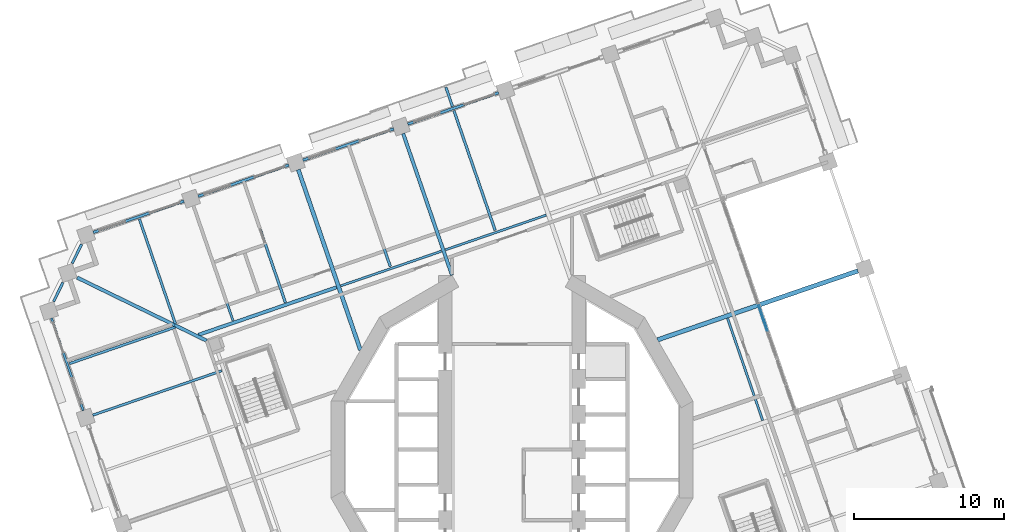
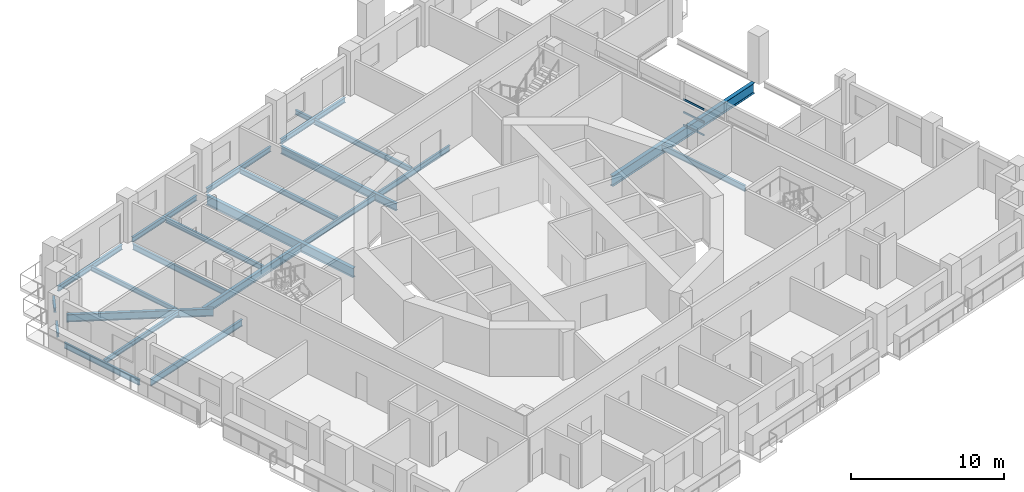
# One storey, part 3 of 19: 23 beams, 3 members, 1 element without a shape of its own.
"""IFC4 building model written with IfcOpenShell, lengths in metres."""

from ifc_helpers import new_model, si_unit, direction, frame, origin, origin_2d, place, context, subcontext, project, spatial, rectangle, i_section, extrude, material, material_profile, profile_set, type_object, element, aggregate, save


model = new_model("IFC4")

# Units and contexts
model_context = context("Model", 3, precision=1e-05, world=origin(), true_north=direction((0.0, 1.0)))
body_context = subcontext(model_context, "Body", "Model", "MODEL_VIEW")
ifc_project = project(units=[si_unit("LENGTHUNIT", "METRE"), si_unit("AREAUNIT", "SQUARE_METRE"), si_unit("VOLUMEUNIT", "CUBIC_METRE"), si_unit("PLANEANGLEUNIT", "RADIAN"), si_unit("MASSUNIT", "GRAM", prefix="KILO")], contexts=[model_context])

# Site, building, storey
site_placement = place(None, origin())
site = spatial("IfcSite", under=ifc_project, at=site_placement, CompositionType="ELEMENT")
building_placement = place(site_placement, origin())
building = spatial("IfcBuilding", under=site, at=building_placement, Name="Cantera Rosa Tower", CompositionType="ELEMENT")
storey_placement = place(building_placement, frame((0.0, 0.0, 130.699951171875)))
storey = spatial("IfcBuildingStorey", under=building, at=storey_placement, Name="L27", CompositionType="ELEMENT", Elevation=130.699951171875)

# Curtain wall, members
ifc_material_1 = material(Name="Aluminium frame with clear glass", Category="aluminium")
curtain_wall_type = type_object("IfcCurtainWallType", Name="CW1 TERRACE POCKET GLAZING", PredefinedType="NOTDEFINED", material=ifc_material_1)
curtain_wall_placement = place(storey_placement, origin())
curtain_wall = element("IfcCurtainWall", 1, at=curtain_wall_placement, inside=storey, type_object=curtain_wall_type, Name="CW1 CW1", PredefinedType="NOTDEFINED")
ifc_material_2 = material(Name="Anodised bronze aluminium", Category="aluminium")
ifc_material_profile_1 = material_profile(ifc_material_2, rectangle(XDim=0.06005859375, YDim=0.139892578125, at=origin_2d()), Name="CW-TRANSOM 60x140 POCKET")
ifc_profile_set_1 = profile_set([ifc_material_profile_1], Name="Anodised bronze aluminium")
member_type = type_object("IfcMemberType", Name="CW-TRANSOM 60x140 POCKET", PredefinedType="USERDEFINED", material=ifc_profile_set_1)
member_1_placement = place(storey_placement, frame((17.049072265625, 7.923583984375, 0.030029296875), z_axis=(-0.325506938428, 0.945539651752, 0.0), x_axis=(-0.945539651752, -0.325506938428, 0.0)))
member_1 = element("IfcMember", 2, at=member_1_placement, type_object=member_type, Name="CW1 transom 4.1", ObjectType="TRANSOM", PredefinedType="USERDEFINED", context=body_context, shape_type="SweptSolid", body=[
    extrude(rectangle(XDim=0.06005859375, YDim=0.139892578125, at=origin_2d()), origin(), (0.0, 0.0, 1.0), 1.788818359375),
])
member_2_placement = place(storey_placement, frame((17.049072265625, 7.923583984375, 1.052001953125), z_axis=(-0.325506938428, 0.945539651752, 0.0), x_axis=(-0.945539651752, -0.325506938428, 0.0)))
member_2 = element("IfcMember", 3, at=member_2_placement, type_object=member_type, Name="CW1 transom 4.2", ObjectType="TRANSOM", PredefinedType="USERDEFINED", context=body_context, shape_type="SweptSolid", body=[
    extrude(rectangle(XDim=0.06005859375, YDim=0.139892578125, at=origin_2d()), origin(), (0.0, 0.0, 1.0), 1.788818359375),
])
member_3_placement = place(storey_placement, frame((17.049072265625, 7.923583984375, 2.073974609375), z_axis=(-0.325506938428, 0.945539651752, 0.0), x_axis=(-0.945539651752, -0.325506938428, 0.0)))
member_3 = element("IfcMember", 4, at=member_3_placement, type_object=member_type, Name="CW1 transom 4.3", ObjectType="TRANSOM", PredefinedType="USERDEFINED", context=body_context, shape_type="SweptSolid", body=[
    extrude(rectangle(XDim=0.06005859375, YDim=0.139892578125, at=origin_2d()), origin(), (0.0, 0.0, 1.0), 1.788818359375),
])
aggregate(curtain_wall, [member_1, member_2, member_3])

# Beams
ifc_material_3 = material(Name="Steel ASTM A992 (Fy 345 MPa)", Category="steel")
ifc_material_profile_2 = material_profile(ifc_material_3, i_section(OverallWidth=0.154052734375, OverallDepth=0.4599609375, WebThickness=0.009033203125, FlangeThickness=0.015380859375, FilletRadius=0.01025390625, at=origin_2d()), Name="W460X68")
ifc_profile_set_2 = profile_set([ifc_material_profile_2], Name="Steel ASTM A992 (Fy 345 MPa)")
beam_type_1 = type_object("IfcBeamType", Name="STEEL BEAM W460X68", PredefinedType="BEAM", material=ifc_profile_set_2)
beam_1_placement = place(storey_placement, frame((-21.25390625, 16.2666015625, -0.47998046875), z_axis=(0.325580085327, -0.945514467387, 0.0), x_axis=(0.945514467387, 0.325580085327, 0.0)))
element("IfcBeam", 5, at=beam_1_placement, inside=storey, type_object=beam_type_1, Name="G-Z2-09 L27", PredefinedType="BEAM", context=body_context, shape_type="SweptSolid", body=[
    extrude(i_section(OverallWidth=0.154052734375, OverallDepth=0.4599609375, WebThickness=0.009033203125, FlangeThickness=0.015380859375, FilletRadius=0.01025390625, at=origin_2d()), origin(), (0.0, 0.0, 1.0), 8.10009765625),
])
beam_2_placement = place(storey_placement, frame((-11.42919921875, 10.924072265625, -0.47998046875), z_axis=(0.945518325606, 0.32556888049, 0.0), x_axis=(-0.32556888049, 0.945518325606, 0.0)))
element("IfcBeam", 6, at=beam_2_placement, inside=storey, type_object=beam_type_1, Name="RB-Z2-02 L27", PredefinedType="BEAM", context=body_context, shape_type="SweptSolid", body=[
    extrude(i_section(OverallWidth=0.154052734375, OverallDepth=0.4599609375, WebThickness=0.009033203125, FlangeThickness=0.015380859375, FilletRadius=0.01025390625, at=origin_2d()), origin(), (0.0, 0.0, 1.0), 7.099853515625),
])
beam_3_placement = place(storey_placement, frame((-4.432373046875, 13.333251953125, -0.47998046875), z_axis=(0.945507740063, 0.325599621437, 0.0), x_axis=(-0.325599621437, 0.945507740063, 0.0)))
element("IfcBeam", 7, at=beam_3_placement, inside=storey, type_object=beam_type_1, Name="RB-Z2-03 L27", PredefinedType="BEAM", context=body_context, shape_type="SweptSolid", body=[
    extrude(i_section(OverallWidth=0.154052734375, OverallDepth=0.4599609375, WebThickness=0.009033203125, FlangeThickness=0.015380859375, FilletRadius=0.01025390625, at=origin_2d()), origin(), (0.0, 0.0, 1.0), 7.10009765625),
])
beam_4_placement = place(storey_placement, frame((16.72900390625, 1.9423828125, -0.47998046875), z_axis=(-0.325575881702, 0.94551591486, 0.0), x_axis=(-0.94551591486, -0.325575881702, 0.0)))
element("IfcBeam", 8, at=beam_4_placement, inside=storey, type_object=beam_type_1, Name="RB-Z2-10 L27", PredefinedType="BEAM", context=body_context, shape_type="SweptSolid", body=[
    extrude(i_section(OverallWidth=0.154052734375, OverallDepth=0.4599609375, WebThickness=0.009033203125, FlangeThickness=0.015380859375, FilletRadius=0.01025390625, at=origin_2d()), origin(), (0.0, 0.0, 1.0), 7.2197265625),
])
ifc_material_4 = material(Name="Steel ASTM A992 (Fy 345 MPa)", Category="steel")
ifc_material_profile_3 = material_profile(ifc_material_4, i_section(OverallWidth=0.166015625, OverallDepth=0.528076171875, WebThickness=0.009765625, FlangeThickness=0.013671875, FilletRadius=0.0126953125, at=origin_2d()), Name="W530X74")
ifc_profile_set_3 = profile_set([ifc_material_profile_3], Name="Steel ASTM A992 (Fy 345 MPa)")
beam_type_2 = type_object("IfcBeamType", Name="STEEL BEAM W530X74", PredefinedType="BEAM", material=ifc_profile_set_3)
beam_5_placement = place(storey_placement, frame((-27.97216796875, 2.29833984375, -0.513916015625), z_axis=(0.94551971591, 0.325564842737, 0.0), x_axis=(-0.325564842737, 0.94551971591, 0.0)))
element("IfcBeam", 9, at=beam_5_placement, inside=storey, type_object=beam_type_2, Name="G-Z2-15 L27", PredefinedType="BEAM", context=body_context, shape_type="SweptSolid", body=[
    extrude(i_section(OverallWidth=0.166015625, OverallDepth=0.528076171875, WebThickness=0.009765625, FlangeThickness=0.013671875, FilletRadius=0.0126953125, at=origin_2d()), origin(), (0.0, 0.0, 1.0), 9.10009765625),
])
ifc_material_5 = material(Name="Steel ASTM A992 (Fy 345 MPa)", Category="steel")
ifc_material_profile_4 = material_profile(ifc_material_5, i_section(OverallWidth=0.22802734375, OverallDepth=0.60205078125, WebThickness=0.010498046875, FlangeThickness=0.014892578125, FilletRadius=0.0126953125, at=origin_2d()), Name="W610X101")
ifc_profile_set_4 = profile_set([ifc_material_profile_4], Name="Steel ASTM A992 (Fy 345 MPa)")
beam_type_3 = type_object("IfcBeamType", Name="STEEL BEAM W610X101", PredefinedType="BEAM", material=ifc_profile_set_4)
beam_6_placement = place(storey_placement, frame((-29.017822265625, 11.47802734375, -0.551025390625), z_axis=(0.898796015179, -0.438367109965, 0.0), x_axis=(0.438367109965, 0.898796015179, 0.0)))
element("IfcBeam", 10, at=beam_6_placement, inside=storey, type_object=beam_type_3, Name="CB-Z2-02 L27", PredefinedType="BEAM", context=body_context, shape_type="SweptSolid", body=[
    extrude(i_section(OverallWidth=0.22802734375, OverallDepth=0.60205078125, WebThickness=0.010498046875, FlangeThickness=0.014892578125, FilletRadius=0.0126953125, at=origin_2d()), origin(), (0.0, 0.0, 1.0), 9.616455078125),
])
beam_7_placement = place(storey_placement, frame((-7.26025390625, 21.0849609375, -0.551025390625), z_axis=(0.325587365823, -0.945511960377, 0.0), x_axis=(0.945511960377, 0.325587365823, 0.0)))
element("IfcBeam", 11, at=beam_7_placement, inside=storey, type_object=beam_type_3, Name="G-Z2-07 L27", PredefinedType="BEAM", context=body_context, shape_type="SweptSolid", body=[
    extrude(i_section(OverallWidth=0.22802734375, OverallDepth=0.60205078125, WebThickness=0.010498046875, FlangeThickness=0.014892578125, FilletRadius=0.0126953125, at=origin_2d()), origin(), (0.0, 0.0, 1.0), 10.0),
])
ifc_material_6 = material(Name="Steel ASTM A992 (Fy 345 MPa)", Category="steel")
ifc_material_profile_5 = material_profile(ifc_material_6, i_section(OverallWidth=0.22900390625, OverallDepth=0.612060546875, WebThickness=0.011962890625, FlangeThickness=0.01953125, FilletRadius=0.0126953125, at=origin_2d()), Name="W610X125")
ifc_profile_set_5 = profile_set([ifc_material_profile_5], Name="Steel ASTM A992 (Fy 345 MPa)")
beam_type_4 = type_object("IfcBeamType", Name="STEEL BEAM W610X125", PredefinedType="BEAM", material=ifc_profile_set_5)
beam_8_placement = place(storey_placement, frame((-20.931640625, 7.652099609375, -0.555908203125), z_axis=(0.945517116269, 0.32557239263, 0.0), x_axis=(-0.32557239263, 0.945517116269, 0.0)))
element("IfcBeam", 12, at=beam_8_placement, inside=storey, type_object=beam_type_4, Name="RB-Z2-01 L27", PredefinedType="BEAM", context=body_context, shape_type="SweptSolid", body=[
    extrude(i_section(OverallWidth=0.22900390625, OverallDepth=0.612060546875, WebThickness=0.011962890625, FlangeThickness=0.01953125, FilletRadius=0.0126953125, at=origin_2d()), origin(), (0.0, 0.0, 1.0), 9.75),
])
ifc_material_7 = material(Name="Steel ASTM A992 (Fy 345 MPa)", Category="steel")
ifc_material_profile_6 = material_profile(ifc_material_7, i_section(OverallWidth=0.26708984375, OverallDepth=0.75390625, WebThickness=0.01318359375, FlangeThickness=0.01708984375, FilletRadius=0.0166015625, at=origin_2d()), Name="W760X147")
ifc_profile_set_6 = profile_set([ifc_material_profile_6], Name="Steel ASTM A992 (Fy 345 MPa)")
beam_type_5 = type_object("IfcBeamType", Name="STEEL BEAM W760X147", PredefinedType="BEAM", material=ifc_profile_set_6)
beam_9_placement = place(storey_placement, frame((-14.257080078125, 18.67578125, -0.626953125), z_axis=(0.325575880476, -0.945515915282, 0.0), x_axis=(0.945515915282, 0.325575880476, 0.0)))
element("IfcBeam", 13, at=beam_9_placement, inside=storey, type_object=beam_type_5, Name="G-Z2-08 L27", PredefinedType="BEAM", context=body_context, shape_type="SweptSolid", body=[
    extrude(i_section(OverallWidth=0.26708984375, OverallDepth=0.75390625, WebThickness=0.01318359375, FlangeThickness=0.01708984375, FilletRadius=0.0166015625, at=origin_2d()), origin(), (0.0, 0.0, 1.0), 12.734375),
])
ifc_material_8 = material(Name="Steel ASTM A992 (Fy 345 MPa)", Category="steel")
ifc_material_profile_7 = material_profile(ifc_material_8, i_section(OverallWidth=0.2919921875, OverallDepth=0.8359375, WebThickness=0.013916015625, FlangeThickness=0.018798828125, FilletRadius=0.017822265625, at=origin_2d()), Name="W840X176")
ifc_profile_set_7 = profile_set([ifc_material_profile_7], Name="Steel ASTM A992 (Fy 345 MPa)")
beam_type_6 = type_object("IfcBeamType", Name="STEEL BEAM W840X176", PredefinedType="BEAM", material=ifc_profile_set_7)
beam_10_placement = place(storey_placement, frame((23.07568359375, 11.92236328125, -0.66796875), z_axis=(-0.945516836256, -0.325573205833, 0.0), x_axis=(0.325573205833, -0.945516836256, 0.0)))
element("IfcBeam", 14, at=beam_10_placement, inside=storey, type_object=beam_type_6, Name="G-Z2-03 L27", PredefinedType="BEAM", context=body_context, shape_type="SweptSolid", body=[
    extrude(i_section(OverallWidth=0.2919921875, OverallDepth=0.8359375, WebThickness=0.013916015625, FlangeThickness=0.018798828125, FilletRadius=0.017822265625, at=origin_2d()), origin(), (0.0, 0.0, 1.0), 14.130615234375),
])
ifc_material_9 = material(Name="Steel ASTM A992 (Fy 345 MPa)", Category="steel")
ifc_material_profile_8 = material_profile(ifc_material_9, i_section(OverallWidth=0.1708984375, OverallDepth=0.35595703125, WebThickness=0.00732421875, FlangeThickness=0.01171875, FilletRadius=0.010009765625, at=origin_2d()), Name="W360X51")
ifc_profile_set_8 = profile_set([ifc_material_profile_8], Name="Steel ASTM A992 (Fy 345 MPa)")
beam_type_7 = type_object("IfcBeamType", Name="STEEL JOIST W360X51", PredefinedType="JOIST", material=ifc_profile_set_8)
beam_11_placement = place(storey_placement, frame((-24.8662109375, 15.39306640625, -0.427978515625), z_axis=(0.325565645331, -0.945519439557, 0.0), x_axis=(0.945519439557, 0.325565645331, 0.0)))
element("IfcBeam", 15, at=beam_11_placement, inside=storey, type_object=beam_type_7, Name="B-Z2-11 L27", PredefinedType="JOIST", context=body_context, shape_type="SweptSolid", body=[
    extrude(i_section(OverallWidth=0.1708984375, OverallDepth=0.35595703125, WebThickness=0.00732421875, FlangeThickness=0.01171875, FilletRadius=0.010009765625, at=origin_2d()), origin(), (0.0, 0.0, 1.0), 7.39990234375),
])
beam_12_placement = place(storey_placement, frame((-29.52734375, 5.739501953125, -0.427978515625), z_axis=(0.945521732807, 0.325558985116, 0.0), x_axis=(-0.325558985116, 0.945521732807, 0.0)))
element("IfcBeam", 16, at=beam_12_placement, inside=storey, type_object=beam_type_7, Name="B-Z2-18 L27", PredefinedType="JOIST", context=body_context, shape_type="SweptSolid", body=[
    extrude(i_section(OverallWidth=0.1708984375, OverallDepth=0.35595703125, WebThickness=0.00732421875, FlangeThickness=0.01171875, FilletRadius=0.010009765625, at=origin_2d()), origin(), (0.0, 0.0, 1.0), 7.460205078125),
])
beam_13_placement = place(storey_placement, frame((-3.966796875, 22.88525390625, -0.427978515625), z_axis=(-0.325633232833, 0.945496164812, 0.0), x_axis=(-0.945496164812, -0.325633232833, 0.0)))
element("IfcBeam", 17, at=beam_13_placement, inside=storey, type_object=beam_type_7, Name="BS-Z2-16 L27", PredefinedType="JOIST", context=body_context, shape_type="SweptSolid", body=[
    extrude(i_section(OverallWidth=0.1708984375, OverallDepth=0.35595703125, WebThickness=0.00732421875, FlangeThickness=0.01171875, FilletRadius=0.010009765625, at=origin_2d()), origin(), (0.0, 0.0, 1.0), 1.3681640625),
])
ifc_material_10 = material(Name="Steel ASTM A992 (Fy 345 MPa)", Category="steel")
ifc_material_profile_9 = material_profile(ifc_material_10, i_section(OverallWidth=0.177978515625, OverallDepth=0.406005859375, WebThickness=0.0078125, FlangeThickness=0.0126953125, FilletRadius=0.01025390625, at=origin_2d()), Name="W410X60")
ifc_profile_set_9 = profile_set([ifc_material_profile_9], Name="Steel ASTM A992 (Fy 345 MPa)")
beam_type_8 = type_object("IfcBeamType", Name="STEEL JOIST W410X60", PredefinedType="JOIST", material=ifc_profile_set_9)
for number, where, z_axis, x_axis, name in (
    (18, (-3.875732421875, 22.62060546875, -0.452880859375), (0.325556131421, -0.945522715377, 0.0), (0.945522715377, 0.325556131421, 0.0), "B-Z2-08 L27"),
    (19, (-10.87255859375, 20.21142578125, -0.452880859375), (0.325556131421, -0.945522715377, 0.0), (0.945522715377, 0.325556131421, 0.0), "B-Z2-09 L27"),
    (20, (-17.869384765625, 17.80224609375, -0.452880859375), (0.325556131421, -0.945522715377, 0.0), (0.945522715377, 0.325556131421, 0.0), "B-Z2-10 L27"),
):
    element("IfcBeam", number, at=place(storey_placement, frame(where, z_axis=z_axis, x_axis=x_axis)), inside=storey, type_object=beam_type_8, Name=name, PredefinedType="JOIST", context=body_context, shape_type="SweptSolid", body=[
        extrude(i_section(OverallWidth=0.177978515625, OverallDepth=0.406005859375, WebThickness=0.0078125, FlangeThickness=0.0126953125, FilletRadius=0.01025390625, at=origin_2d()), origin(), (0.0, 0.0, 1.0), 8.4501953125),
    ])
ifc_material_11 = material(Name="Steel ASTM A992 (Fy 345 MPa)", Category="steel")
ifc_material_profile_10 = material_profile(ifc_material_11, i_section(OverallWidth=0.1708984375, OverallDepth=0.35595703125, WebThickness=0.00732421875, FlangeThickness=0.01171875, FilletRadius=0.010009765625, at=origin_2d()), Name="W360X51")
ifc_profile_set_10 = profile_set([ifc_material_profile_10], Name="Steel ASTM A992 (Fy 345 MPa)")
beam_type_9 = type_object("IfcBeamType", Name="STEEL SPANDREL BEAM W360X51", PredefinedType="SPANDREL", material=ifc_profile_set_10)
for number, where, z_axis, x_axis, name in (
    (21, (-28.723388671875, 13.694580078125, -0.427978515625), (-0.438491655897, -0.898735260079, 0.0), (0.898735260079, -0.438491655897, 0.0), "EB-Z2-14 L27"),
    (22, (-29.96337890625, 11.152587890625, -0.427978515625), (-0.438284186308, -0.898836454552, 0.0), (0.898836454552, -0.438284186308, 0.0), "EB-Z2-15 L27"),
):
    element("IfcBeam", number, at=place(storey_placement, frame(where, z_axis=z_axis, x_axis=x_axis)), inside=storey, type_object=beam_type_9, Name=name, PredefinedType="SPANDREL", context=body_context, shape_type="SweptSolid", body=[
        extrude(i_section(OverallWidth=0.1708984375, OverallDepth=0.35595703125, WebThickness=0.00732421875, FlangeThickness=0.01171875, FilletRadius=0.010009765625, at=origin_2d()), origin(), (0.0, 0.0, 1.0), 1.414306640625),
    ])
ifc_material_12 = material(Name="Steel ASTM A992 (Fy 345 MPa)", Category="steel")
ifc_material_profile_11 = material_profile(ifc_material_12, i_section(OverallWidth=0.177978515625, OverallDepth=0.406005859375, WebThickness=0.0078125, FlangeThickness=0.0126953125, FilletRadius=0.01025390625, at=origin_2d()), Name="W410X60")
ifc_profile_set_11 = profile_set([ifc_material_profile_11], Name="Steel ASTM A992 (Fy 345 MPa)")
beam_type_10 = type_object("IfcBeamType", Name="STEEL SPANDREL BEAM W410X60", PredefinedType="SPANDREL", material=ifc_profile_set_11)
for number, where, z_axis, x_axis, name in (
    (23, (-0.89892578125, 23.80419921875, -0.452880859375), (-0.945524496524, -0.325550958337, 0.0), (0.325550958337, -0.945524496524, 0.0), "EB-Z2-10 L27"),
    (24, (-7.895751953125, 21.39501953125, -0.452880859375), (-0.945524496524, -0.325550958337, 0.0), (0.325550958337, -0.945524496524, 0.0), "EB-Z2-11 L27"),
    (25, (-14.892578125, 18.98583984375, -0.452880859375), (-0.945512753621, -0.325585062219, 0.0), (0.325585062219, -0.945512753621, 0.0), "EB-Z2-12 L27"),
    (26, (-21.889404296875, 16.57666015625, -0.452880859375), (-0.945512753621, -0.325585062219, 0.0), (0.325585062219, -0.945512753621, 0.0), "EB-Z2-13 L27"),
):
    element("IfcBeam", number, at=place(storey_placement, frame(where, z_axis=z_axis, x_axis=x_axis)), inside=storey, type_object=beam_type_10, Name=name, PredefinedType="SPANDREL", context=body_context, shape_type="SweptSolid", body=[
        extrude(i_section(OverallWidth=0.177978515625, OverallDepth=0.406005859375, WebThickness=0.0078125, FlangeThickness=0.0126953125, FilletRadius=0.01025390625, at=origin_2d()), origin(), (0.0, 0.0, 1.0), 6.39990234375),
    ])
ifc_material_13 = material(Name="Steel ASTM A992 (Fy 345 MPa)", Category="steel")
ifc_material_profile_12 = material_profile(ifc_material_13, i_section(OverallWidth=0.154052734375, OverallDepth=0.4599609375, WebThickness=0.009033203125, FlangeThickness=0.015380859375, FilletRadius=0.01025390625, at=origin_2d()), Name="W460X68")
ifc_profile_set_12 = profile_set([ifc_material_profile_12], Name="Steel ASTM A992 (Fy 345 MPa)")
beam_type_11 = type_object("IfcBeamType", Name="STEEL SPANDREL BEAM W460X68", PredefinedType="SPANDREL", material=ifc_profile_set_12)
beam_14_placement = place(storey_placement, frame((-30.73046875, 8.773193359375, -0.47998046875), z_axis=(0.325580990241, -0.945514155787, 0.0), x_axis=(0.945514155787, 0.325580990241, 0.0)))
element("IfcBeam", 27, at=beam_14_placement, inside=storey, type_object=beam_type_11, Name="EB-Z2-16 L27", PredefinedType="SPANDREL", context=body_context, shape_type="SweptSolid", body=[
    extrude(i_section(OverallWidth=0.154052734375, OverallDepth=0.4599609375, WebThickness=0.009033203125, FlangeThickness=0.015380859375, FilletRadius=0.01025390625, at=origin_2d()), origin(), (0.0, 0.0, 1.0), 6.52001953125),
])

save(model, "model.ifc")
